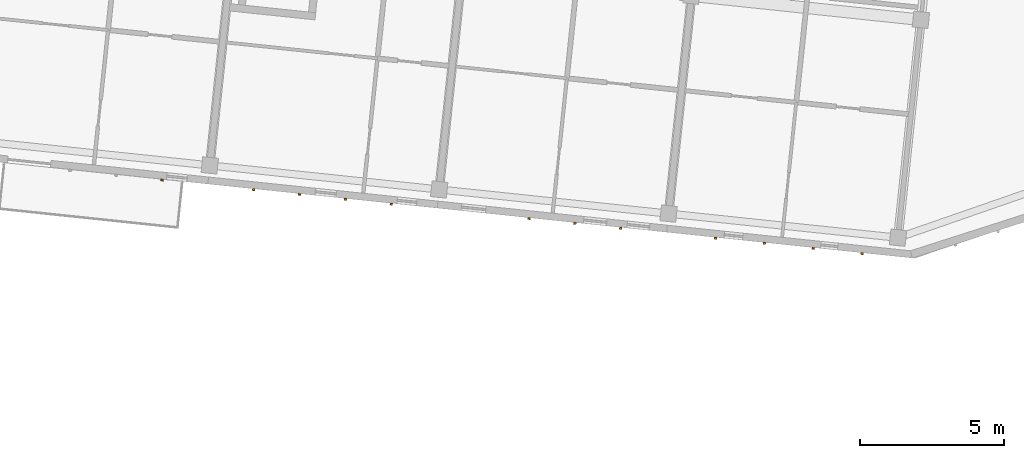
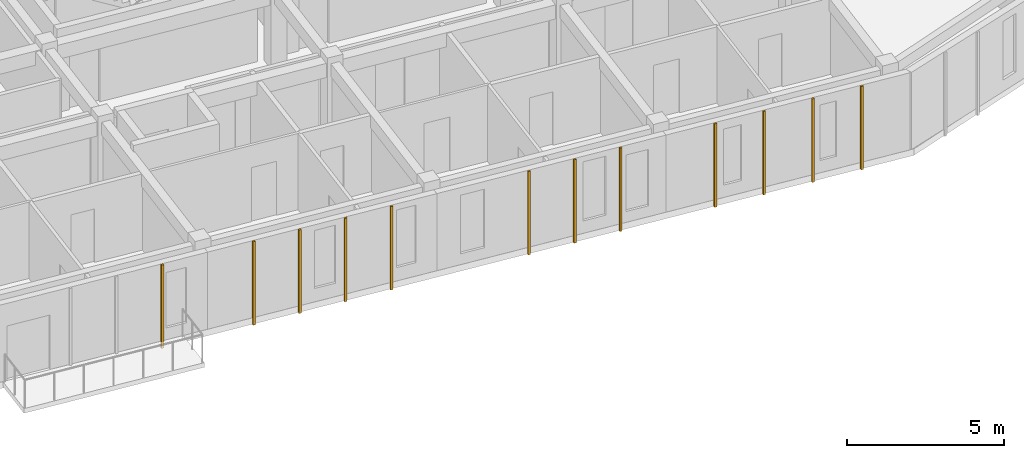
# One storey, part 122 of 127: 12 coverings.
"""IFC4 building model written with IfcOpenShell, lengths in metres."""

from ifc_helpers import new_model, si_unit, direction, frame, origin, origin_2d, place, context, subcontext, project, spatial, rectangle, extrude, material, layer, layer_set, type_object, element, save


model = new_model("IFC4")

# Units and contexts
model_context = context("Model", 3, precision=1e-05, world=origin(), true_north=direction((0.0, 1.0)))
body_context = subcontext(model_context, "Body", "Model", "MODEL_VIEW")
ifc_project = project(units=[si_unit("LENGTHUNIT", "METRE"), si_unit("AREAUNIT", "SQUARE_METRE"), si_unit("VOLUMEUNIT", "CUBIC_METRE"), si_unit("PLANEANGLEUNIT", "RADIAN"), si_unit("MASSUNIT", "GRAM", prefix="KILO")], contexts=[model_context])

# Site, building, storey
site_placement = place(None, origin())
site = spatial("IfcSite", under=ifc_project, at=site_placement, CompositionType="ELEMENT")
building_placement = place(site_placement, origin())
building = spatial("IfcBuilding", under=site, at=building_placement, Name="Kestramere Prow Commons", CompositionType="ELEMENT")
storey_placement = place(building_placement, frame((0.0, 0.0, 8.39990234375)))
storey = spatial("IfcBuildingStorey", under=building, at=storey_placement, Name="L02", CompositionType="ELEMENT", Elevation=8.39990234375)

# Coverings
ifc_material = material(Name="Weathered Zinc-Titanium Standing-Seam Cladding")
ifc_layer = layer(ifc_material, 0.074951171875)
ifc_layer_set = layer_set([ifc_layer], Name="Weathered Zinc-Titanium Standing-Seam Cladding")
covering_type = type_object("IfcCoveringType", Name="COV-CLAD-SEAM", PredefinedType="CLADDING", material=ifc_layer_set)
for number, where, z_axis, x_axis, name in (
    (1, (132.20654296875, 91.78466796875, -0.25), (0.0, 0.0, 1.0), (-0.994521895368, 0.104528463268, 0.0), "EW-B-L02-S-2 Standing-Seam Rib 1"),
    (2, (140.16259765625, 90.948486328125, -0.25), (0.0, 0.0, 1.0), (-0.994521895368, 0.104528463268, 0.0), "EW-B-L02-S-3 Standing-Seam Rib 1"),
    (3, (138.5712890625, 91.11572265625, -0.25), (0.0, 0.0, 1.0), (-0.994521895368, 0.104528463268, 0.0), "EW-B-L02-S-3 Standing-Seam Rib 2"),
    (4, (136.980224609375, 91.282958984375, -0.25), (0.0, 0.0, 1.0), (-0.994521895368, 0.104528463268, 0.0), "EW-B-L02-S-3 Standing-Seam Rib 3"),
    (5, (135.388916015625, 91.4501953125, -0.25), (0.0, 0.0, 1.0), (-0.994521895368, 0.104528463268, 0.0), "EW-B-L02-S-3 Standing-Seam Rib 4"),
    (6, (148.118896484375, 90.1123046875, -0.25), (0.0, 0.0, 1.0), (-0.994521895368, 0.104528463268, 0.0), "EW-B-L02-S-4 Standing-Seam Rib 1"),
    (7, (146.527587890625, 90.279541015625, -0.25), (0.0, 0.0, 1.0), (-0.994521895368, 0.104528463268, 0.0), "EW-B-L02-S-4 Standing-Seam Rib 2"),
    (8, (144.936279296875, 90.44677734375, -0.25), (0.0, 0.0, 1.0), (-0.994521895368, 0.104528463268, 0.0), "EW-B-L02-S-4 Standing-Seam Rib 3"),
    (9, (156.49267578125, 89.232177734375, -0.25), (0.0, 0.0, 1.0), (-0.994521895368, 0.104528463268, 0.0), "EW-B-L02-S-5 Standing-Seam Rib 1"),
    (10, (154.797119140625, 89.410400390625, -0.25), (0.0, 0.0, 1.0), (-0.994521895368, 0.104528463268, 0.0), "EW-B-L02-S-5 Standing-Seam Rib 2"),
    (11, (153.101318359375, 89.588623046875, -0.25), (0.0, 0.0, 1.0), (-0.994521895368, 0.104528463268, 0.0), "EW-B-L02-S-5 Standing-Seam Rib 3"),
    (12, (151.40576171875, 89.766845703125, -0.25), (0.0, 0.0, 1.0), (-0.994521895368, 0.104528463268, 0.0), "EW-B-L02-S-5 Standing-Seam Rib 4"),
):
    element("IfcCovering", number, at=place(storey_placement, frame(where, z_axis=z_axis, x_axis=x_axis)), inside=storey, type_object=covering_type, Name=name, PredefinedType="CLADDING", context=body_context, shape_type="SweptSolid", body=[
        extrude(rectangle(XDim=0.0849609375, YDim=0.06494140625, at=origin_2d()), origin(), (0.0, 0.0, 1.0), 3.25),
    ])

save(model, "model.ifc")
